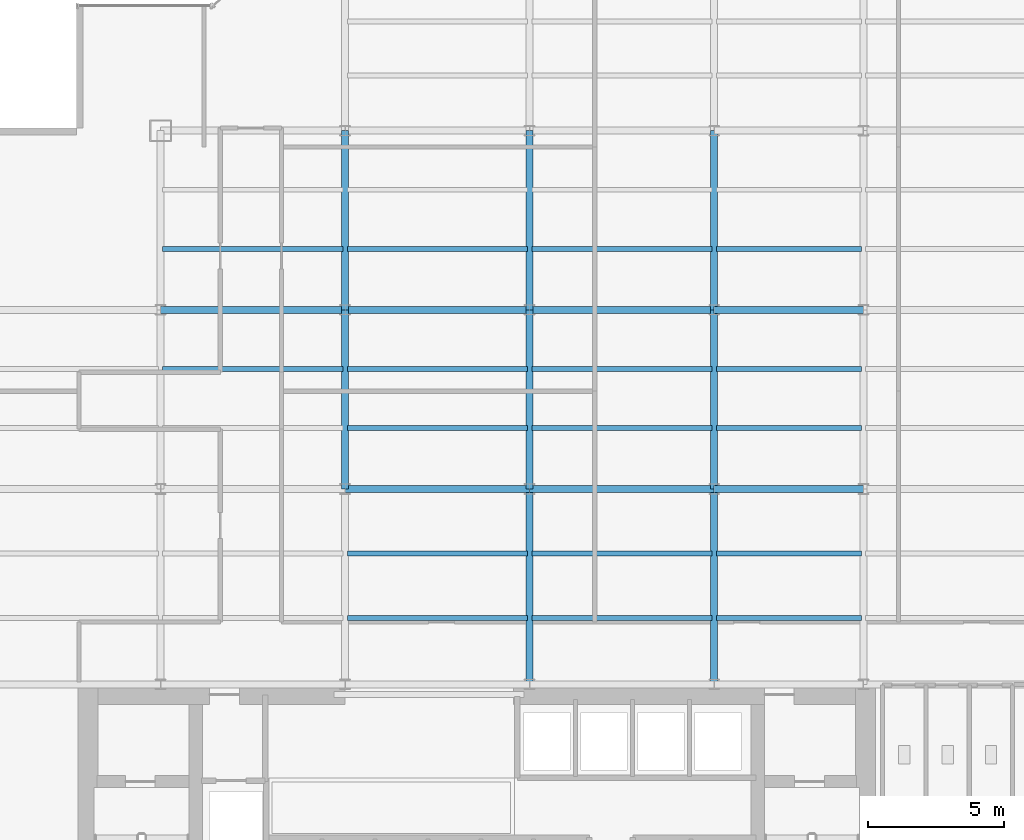
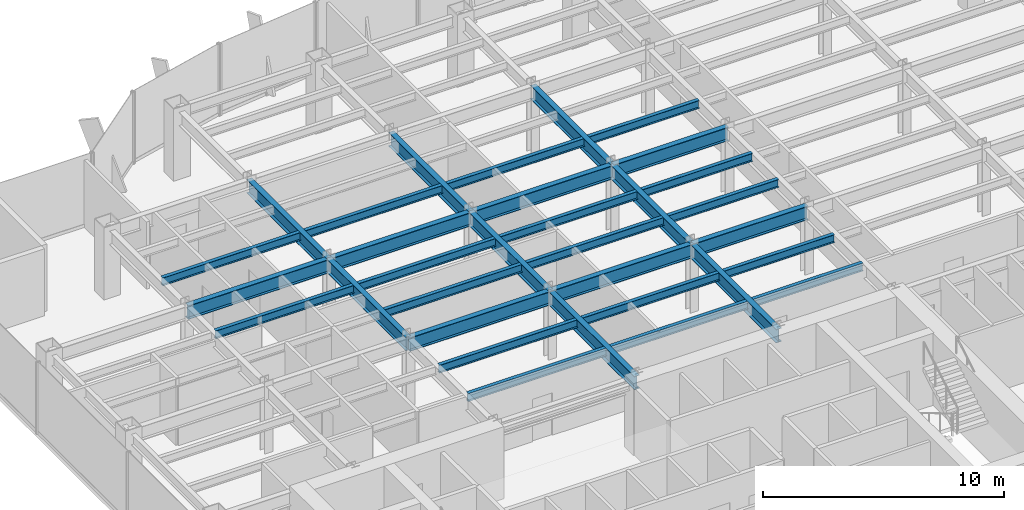
# One storey, part 7 of 26: 32 beams.
"""IFC4 building model written with IfcOpenShell, lengths in metres."""

import ifcopenshell
import ifcopenshell.guid

model = None  # the IFC model being written
_history = None  # IfcOwnerHistory: only IFC2X3 demands one
_inside = {}  # id of a spatial element -> (the spatial element, [elements in it])
_under = {}  # id of a project, library or spatial element -> (it, [spatial elements below it])
_declared = {}  # id of a project -> (the project, [libraries it declares])
_typed = {}  # id of a type object -> (the type object, [elements of that type])
_made_of = {}  # id of a material, layer set ... -> (it, [elements and type objects made of it])


def new_model(schema):
    """Start an empty IFC model of exactly this schema.

    Asked for "IFC4X3", IfcOpenShell would pick the latest addendum, in which some entities
    have other attributes; the version numbers below select the first issue.
    IFC2X3 requires an IfcOwnerHistory on every rooted entity: one is made here for all.
    """
    global model, _history
    if schema == "IFC4X3":
        model = ifcopenshell.file(schema_version=(4, 3, 0, 0))
    else:
        model = ifcopenshell.file(schema=schema)
    _inside.clear()
    _under.clear()
    _declared.clear()
    _typed.clear()
    _made_of.clear()
    _history = None
    if model.schema == "IFC2X3":
        org = make("IfcOrganization", Name="unknown")
        user = make(
            "IfcPersonAndOrganization",
            ThePerson=make("IfcPerson", FamilyName="unknown"),
            TheOrganization=org,
        )
        app = make(
            "IfcApplication",
            ApplicationDeveloper=org,
            Version="unknown",
            ApplicationFullName="unknown",
            ApplicationIdentifier="unknown",
        )
        _history = make(
            "IfcOwnerHistory",
            OwningUser=user,
            OwningApplication=app,
            ChangeAction="ADDED",
            CreationDate=0,
        )
    return model


def make(cls, **values):
    """One entity of the class cls with the attributes given. An attribute that is None is left unset."""
    return model.create_entity(
        cls, **{name: value for name, value in values.items() if value is not None}
    )


def rooted(cls, **values):
    """An entity with a GlobalId (a new one), such as an element, a storey or a relation."""
    return make(cls, GlobalId=ifcopenshell.guid.new(), OwnerHistory=_history, **values)


def si_unit(unit_type, name, prefix=None):
    """IfcSIUnit, for example si_unit("LENGTHUNIT", "METRE", prefix="MILLI")."""
    return make("IfcSIUnit", UnitType=unit_type, Prefix=prefix, Name=name)


def derived_unit(unit_type, elements):
    """IfcDerivedUnit: a product of units, each with its exponent."""
    return make(
        "IfcDerivedUnit",
        Elements=[
            make("IfcDerivedUnitElement", Unit=unit, Exponent=power)
            for unit, power in elements
        ],
        UnitType=unit_type,
    )


def assignment(units):
    """IfcUnitAssignment: the units of a project."""
    return None if units is None else make("IfcUnitAssignment", Units=units)


def point(xyz):
    """IfcCartesianPoint."""
    return None if xyz is None else make("IfcCartesianPoint", Coordinates=xyz)


def direction(xyz):
    """IfcDirection."""
    return None if xyz is None else make("IfcDirection", DirectionRatios=xyz)


def frame(location, z_axis=None, x_axis=None):
    """IfcAxis2Placement3D, a coordinate frame: its origin and axes. An axis left out is left unset."""
    return make(
        "IfcAxis2Placement3D",
        Location=point(location),
        Axis=direction(z_axis),
        RefDirection=direction(x_axis),
    )


def frame_2d(location, x_axis=None):
    """IfcAxis2Placement2D, a coordinate frame in the plane: its origin and x axis."""
    return make(
        "IfcAxis2Placement2D", Location=point(location), RefDirection=direction(x_axis)
    )


def origin():
    """The frame at (0, 0, 0) with its axes left unset."""
    return frame((0.0, 0.0, 0.0))


def origin_2d():
    """The frame at (0, 0) in the plane with its x axis left unset."""
    return frame_2d((0.0, 0.0))


def place(relative_to, where):
    """IfcLocalPlacement: puts the frame where relative to a parent placement (None: the world)."""
    return make(
        "IfcLocalPlacement", PlacementRelTo=relative_to, RelativePlacement=where
    )


def context(
    kind, dimensions, precision=None, world=None, true_north=None, identifier=None
):
    """IfcGeometricRepresentationContext, for example the 3D "Model" context."""
    return make(
        "IfcGeometricRepresentationContext",
        ContextIdentifier=identifier,
        ContextType=kind,
        CoordinateSpaceDimension=dimensions,
        Precision=precision,
        WorldCoordinateSystem=world,
        TrueNorth=true_north,
    )


def subcontext(parent, identifier, kind, view, scale=None):
    """IfcGeometricRepresentationSubContext, for example "Body" below "Model"."""
    return make(
        "IfcGeometricRepresentationSubContext",
        ContextIdentifier=identifier,
        ContextType=kind,
        ParentContext=parent,
        TargetScale=scale,
        TargetView=view,
    )


def project(units=None, contexts=None):
    """IfcProject with its units and contexts."""
    return rooted(
        "IfcProject",
        Name="project",
        RepresentationContexts=contexts,
        UnitsInContext=assignment(units),
    )


def spatial(cls, under=None, at=None, **own):
    """A site, building, storey or space (cls), placed at a placement, below another one or the project."""
    s = rooted(cls, ObjectPlacement=at, **own)
    if under is not None:
        _under.setdefault(under.id(), (under, []))[1].append(s)
    return s


def profile(cls, at=None, kind="AREA", **sizes):
    """A parametric profile (cls). Its sizes go by their IFC names, for example OverallWidth=200.0."""
    return make(cls, ProfileType=kind, Position=at, **sizes)


def i_section(**sizes):
    """IfcIShapeProfileDef."""
    return profile("IfcIShapeProfileDef", **sizes)


def extrude(swept, where, along, depth):
    """IfcExtrudedAreaSolid: the profile swept, set in the frame where, extruded along a direction by depth."""
    return make(
        "IfcExtrudedAreaSolid",
        SweptArea=swept,
        Position=where,
        ExtrudedDirection=direction(along),
        Depth=depth,
    )


def shape(context_of_items, identifier, shape_type, items):
    """IfcShapeRepresentation: the items that make up one representation, for example the "Body"."""
    return make(
        "IfcShapeRepresentation",
        ContextOfItems=context_of_items,
        RepresentationIdentifier=identifier,
        RepresentationType=shape_type,
        Items=items,
    )


def source(mapping_origin, context_of_items, identifier, shape_type, items):
    """IfcRepresentationMap: a shape defined once, which mapped items show again and again."""
    return make(
        "IfcRepresentationMap",
        MappingOrigin=mapping_origin,
        MappedRepresentation=shape(context_of_items, identifier, shape_type, items),
    )


def transform(
    local_origin,
    x_axis=None,
    y_axis=None,
    z_axis=None,
    scale=None,
    scale2=None,
    scale3=None,
    uniform=True,
):
    """IfcCartesianTransformationOperator3D, or its non-uniform kind. x_axis, y_axis, z_axis: its Axis1, 2, 3."""
    if uniform:
        return make(
            "IfcCartesianTransformationOperator3D",
            Axis1=direction(x_axis),
            Axis2=direction(y_axis),
            LocalOrigin=point(local_origin),
            Scale=scale,
            Axis3=direction(z_axis),
        )
    return make(
        "IfcCartesianTransformationOperator3DnonUniform",
        Axis1=direction(x_axis),
        Axis2=direction(y_axis),
        LocalOrigin=point(local_origin),
        Scale=scale,
        Axis3=direction(z_axis),
        Scale2=scale2,
        Scale3=scale3,
    )


def mapped(mapping_source, mapping_target):
    """IfcMappedItem: shows the shape of a source again, moved by a transform."""
    return make(
        "IfcMappedItem", MappingSource=mapping_source, MappingTarget=mapping_target
    )


def material(Name=None, Category=None):
    """IfcMaterial."""
    return make("IfcMaterial", Name=Name, Category=Category)


def material_profile(
    of_material, cross_section, Name=None, Category=None, Priority=None
):
    """IfcMaterialProfile: a cross section and its material."""
    return make(
        "IfcMaterialProfile",
        Name=Name,
        Material=of_material,
        Profile=cross_section,
        Priority=Priority,
        Category=Category,
    )


def profile_set(profiles, Name=None, composite=None):
    """IfcMaterialProfileSet."""
    return make(
        "IfcMaterialProfileSet",
        Name=Name,
        MaterialProfiles=profiles,
        CompositeProfile=composite,
    )


def made_of(thing, what):
    """Note that an element or type object is made of a material, layer set ...; save() writes the relation."""
    if what is not None:
        _made_of.setdefault(what.id(), (what, []))[1].append(thing)
    return thing


def type_object(cls, material=None, **own):
    """A type object (cls), such as IfcWallType, which elements share."""
    return made_of(rooted(cls, **own), material)


def element(
    cls,
    number,
    at=None,
    inside=None,
    cuts=None,
    type_object=None,
    material=None,
    context=None,
    identifier="Body",
    shape_type=None,
    held_by="IfcProductDefinitionShape",
    body=None,
    shapes=None,
    **own,
):
    """One element of the class cls, such as IfcWall. Its Tag is "e" and its number.

    at: its placement. inside: the storey or other place that contains it. cuts: it is an
    opening in that element (IfcRelVoidsElement). A single representation is given by context,
    identifier, shape_type and body (its items); several are given by shapes. held_by: the class
    of the entity that holds the representations. save() writes the other relations.
    """
    e = rooted(cls, Tag="e%d" % number, ObjectPlacement=at, **own)
    if body is not None:
        shapes = [shape(context, identifier, shape_type, body)]
    if shapes is not None:
        e.Representation = make(held_by, Representations=shapes)
    if inside is not None:
        _inside.setdefault(inside.id(), (inside, []))[1].append(e)
    if cuts is not None:
        rooted(
            "IfcRelVoidsElement", RelatingBuildingElement=cuts, RelatedOpeningElement=e
        )
    if type_object is not None:
        _typed.setdefault(type_object.id(), (type_object, []))[1].append(e)
    return made_of(e, material)


def aggregate(whole, parts):
    """IfcRelAggregates: a whole, such as a stair, and the parts it consists of."""
    return rooted("IfcRelAggregates", RelatingObject=whole, RelatedObjects=parts)


def save(model, path):
    """Write the relations noted so far, then the file.

    IfcRelAggregates (storeys below a building ...), IfcRelContainedInSpatialStructure (elements
    in a storey), IfcRelDefinesByType, IfcRelAssociatesMaterial and IfcRelDeclares: one each for
    every whole, place, type object, material and project.
    """
    for whole, parts in _under.values():
        aggregate(whole, parts)
    for where, things in _inside.values():
        rooted(
            "IfcRelContainedInSpatialStructure",
            RelatedElements=things,
            RelatingStructure=where,
        )
    for kind, things in _typed.values():
        rooted("IfcRelDefinesByType", RelatedObjects=things, RelatingType=kind)
    for what, things in _made_of.values():
        rooted("IfcRelAssociatesMaterial", RelatedObjects=things, RelatingMaterial=what)
    for by, libraries in _declared.values():
        rooted("IfcRelDeclares", RelatingContext=by, RelatedDefinitions=libraries)
    model.write(path)


model = new_model("IFC4")

# Units and contexts
model_context = context("Model", 3, precision=1e-05, world=origin(), true_north=direction((0.0, 1.0)))
body_context = subcontext(model_context, "Body", "Model", "MODEL_VIEW")
ifc_project = project(units=[si_unit("LENGTHUNIT", "METRE"), si_unit("AREAUNIT", "SQUARE_METRE"), si_unit("VOLUMEUNIT", "CUBIC_METRE"), si_unit("PLANEANGLEUNIT", "RADIAN"), si_unit("MASSUNIT", "GRAM", prefix="KILO"), derived_unit("THERMALTRANSMITTANCEUNIT", [(si_unit("POWERUNIT", "WATT"), 1), (si_unit("LENGTHUNIT", "METRE"), -2), (si_unit("THERMODYNAMICTEMPERATUREUNIT", "KELVIN"), -1)])], contexts=[model_context])

# Site, building, storey
site_placement = place(None, origin())
site = spatial("IfcSite", under=ifc_project, at=site_placement, CompositionType="ELEMENT")
building_placement = place(site_placement, origin())
building = spatial("IfcBuilding", under=site, at=building_placement, Name="Skarnbrae Concourse Arena and Tower", CompositionType="ELEMENT")
storey_placement = place(building_placement, frame((0.0, 0.0, 125.14990234375)))
storey = spatial("IfcBuildingStorey", under=building, at=storey_placement, Name="L31", CompositionType="ELEMENT", Elevation=125.14990234375)

# Beams
ifc_material = material(Name="Steel CSA G40.21 350W", Category="steel")
ifc_material_profile_1 = material_profile(ifc_material, i_section(OverallWidth=0.256103515625, OverallDepth=0.693115234375, WebThickness=0.014404296875, FlangeThickness=0.023681640625, at=origin_2d()), Name="W690X170")
ifc_profile_set_1 = profile_set([ifc_material_profile_1], Name="Steel CSA G40.21 350W")
beam_type_1 = type_object("IfcBeamType", Name="BM-GIRD-W690X170", PredefinedType="BEAM", material=ifc_profile_set_1)
shared_shape_1 = source(origin(), body_context, "Body", "SweptSolid", [
    extrude(i_section(OverallWidth=0.256103515625, OverallDepth=0.693115234375, WebThickness=0.014404296875, FlangeThickness=0.023681640625, at=origin_2d()), origin(), (0.0, 0.0, 1.0), 6.60009765625),
])
for number, where, z_axis, x_axis, name in (
    (1, (14.39990234375, 21.199951171875, 3.0537109375), (0.0, 1.0, 0.0), (-1.0, 0.0, 0.0), "L31 Primary N-S girder X14.4-2"),
    (2, (21.199951171875, 21.199951171875, 3.0537109375), (0.0, 1.0, 0.0), (-1.0, 0.0, 0.0), "L31 Primary N-S girder X21.2-2"),
    (3, (28.0, 21.199951171875, 3.0537109375), (0.0, 1.0, 0.0), (-1.0, 0.0, 0.0), "L31 Primary N-S girder X28.0-2"),
):
    element("IfcBeam", number, at=place(storey_placement, frame(where, z_axis=z_axis, x_axis=x_axis)), inside=storey, type_object=beam_type_1, Name=name, PredefinedType="BEAM", context=body_context, shape_type="MappedRepresentation", body=[
        mapped(shared_shape_1, transform((0.0, 0.0, 0.0))),
    ])
shared_shape_2 = source(origin(), body_context, "Body", "SweptSolid", [
    extrude(i_section(OverallWidth=0.256103515625, OverallDepth=0.693115234375, WebThickness=0.014404296875, FlangeThickness=0.023681640625, at=origin_2d()), origin(), (0.0, 0.0, 1.0), 6.7998046875),
])
beam_placement = place(storey_placement, frame((7.60009765625, 27.800048828125, 3.0537109375), z_axis=(1.0, 0.0, 0.0), x_axis=(0.0, 1.0, 0.0)))
element("IfcBeam", 4, at=beam_placement, inside=storey, type_object=beam_type_1, Name="L31 Primary E-W girder Y27.8-2", PredefinedType="BEAM", context=body_context, shape_type="MappedRepresentation", body=[
    mapped(shared_shape_2, transform((0.0, 0.0, 0.0))),
])
shared_shape_3 = source(origin(), body_context, "Body", "SweptSolid", [
    extrude(i_section(OverallWidth=0.256103515625, OverallDepth=0.693115234375, WebThickness=0.014404296875, FlangeThickness=0.023681640625, at=origin_2d()), origin(), (0.0, 0.0, 1.0), 6.800048828125),
])
for number, where, z_axis, x_axis, name in (
    (5, (14.39990234375, 21.199951171875, 3.0537109375), (1.0, 0.0, 0.0), (0.0, 1.0, 0.0), "L31 Primary E-W girder Y21.2-3"),
    (6, (21.199951171875, 21.199951171875, 3.0537109375), (1.0, 0.0, 0.0), (0.0, 1.0, 0.0), "L31 Primary E-W girder Y21.2-4"),
    (7, (14.39990234375, 27.800048828125, 3.0537109375), (1.0, 0.0, 0.0), (0.0, 1.0, 0.0), "L31 Primary E-W girder Y27.8-3"),
    (8, (21.199951171875, 27.800048828125, 3.0537109375), (1.0, 0.0, 0.0), (0.0, 1.0, 0.0), "L31 Primary E-W girder Y27.8-4"),
):
    element("IfcBeam", number, at=place(storey_placement, frame(where, z_axis=z_axis, x_axis=x_axis)), inside=storey, type_object=beam_type_1, Name=name, PredefinedType="BEAM", context=body_context, shape_type="MappedRepresentation", body=[
        mapped(shared_shape_3, transform((0.0, 0.0, 0.0))),
    ])
shared_shape_4 = source(origin(), body_context, "Body", "SweptSolid", [
    extrude(i_section(OverallWidth=0.256103515625, OverallDepth=0.693115234375, WebThickness=0.014404296875, FlangeThickness=0.023681640625, at=origin_2d()), origin(), (0.0, 0.0, 1.0), 5.5),
])
for number, where, z_axis, x_axis, name in (
    (9, (28.0, 21.199951171875, 3.0537109375), (1.0, 0.0, 0.0), (0.0, 1.0, 0.0), "L31 Primary E-W girder Y21.2-5"),
    (10, (28.0, 27.800048828125, 3.0537109375), (1.0, 0.0, 0.0), (0.0, 1.0, 0.0), "L31 Primary E-W girder Y27.8-5"),
):
    element("IfcBeam", number, at=place(storey_placement, frame(where, z_axis=z_axis, x_axis=x_axis)), inside=storey, type_object=beam_type_1, Name=name, PredefinedType="BEAM", context=body_context, shape_type="MappedRepresentation", body=[
        mapped(shared_shape_4, transform((0.0, 0.0, 0.0))),
    ])
shared_shape_5 = source(origin(), body_context, "Body", "SweptSolid", [
    extrude(i_section(OverallWidth=0.256103515625, OverallDepth=0.693115234375, WebThickness=0.014404296875, FlangeThickness=0.023681640625, at=origin_2d()), origin(), (0.0, 0.0, 1.0), 7.199951171875),
])
for number, where, z_axis, x_axis, name in (
    (11, (21.199951171875, 14.0, 3.0537109375), (0.0, 1.0, 0.0), (-1.0, 0.0, 0.0), "L31 Primary N-S girder X21.2-1"),
    (12, (28.0, 14.0, 3.0537109375), (0.0, 1.0, 0.0), (-1.0, 0.0, 0.0), "L31 Primary N-S girder X28.0-1"),
):
    element("IfcBeam", number, at=place(storey_placement, frame(where, z_axis=z_axis, x_axis=x_axis)), inside=storey, type_object=beam_type_1, Name=name, PredefinedType="BEAM", context=body_context, shape_type="MappedRepresentation", body=[
        mapped(shared_shape_5, transform((0.0, 0.0, 0.0))),
    ])
shared_shape_6 = source(origin(), body_context, "Body", "SweptSolid", [
    extrude(i_section(OverallWidth=0.256103515625, OverallDepth=0.693115234375, WebThickness=0.014404296875, FlangeThickness=0.023681640625, at=origin_2d()), origin(), (0.0, 0.0, 1.0), 6.599853515625),
])
for number, where, z_axis, x_axis, name in (
    (13, (14.39990234375, 27.800048828125, 3.0537109375), (0.0, 1.0, 0.0), (-1.0, 0.0, 0.0), "L31 Primary N-S girder X14.4-3"),
    (14, (21.199951171875, 27.800048828125, 3.0537109375), (0.0, 1.0, 0.0), (-1.0, 0.0, 0.0), "L31 Primary N-S girder X21.2-3"),
    (15, (28.0, 27.800048828125, 3.0537109375), (0.0, 1.0, 0.0), (-1.0, 0.0, 0.0), "L31 Primary N-S girder X28.0-3"),
):
    element("IfcBeam", number, at=place(storey_placement, frame(where, z_axis=z_axis, x_axis=x_axis)), inside=storey, type_object=beam_type_1, Name=name, PredefinedType="BEAM", context=body_context, shape_type="MappedRepresentation", body=[
        mapped(shared_shape_6, transform((0.0, 0.0, 0.0))),
    ])
ifc_material_profile_2 = material_profile(ifc_material, i_section(OverallWidth=0.177978515625, OverallDepth=0.406982421875, WebThickness=0.0078125, FlangeThickness=0.0126953125, at=origin_2d()), Name="W410X60")
ifc_profile_set_2 = profile_set([ifc_material_profile_2], Name="Steel CSA G40.21 350W")
beam_type_2 = type_object("IfcBeamType", Name="BM-JOIST-W410X60", PredefinedType="JOIST", material=ifc_profile_set_2)
shared_shape_7 = source(origin(), body_context, "Body", "SweptSolid", [
    extrude(i_section(OverallWidth=0.177978515625, OverallDepth=0.406982421875, WebThickness=0.0078125, FlangeThickness=0.0126953125, at=origin_2d()), origin(), (0.0, 0.0, 1.0), 6.64013671875),
])
for number, where, z_axis, x_axis, name in (
    (16, (14.47998046875, 16.447998046875, 3.196533203125), (1.0, 0.0, 0.0), (0.0, 1.0, 0.0), "L31 Secondary floor joist 1.1.3"),
    (17, (14.47998046875, 18.823974609375, 3.196533203125), (1.0, 0.0, 0.0), (0.0, 1.0, 0.0), "L31 Secondary floor joist 1.2.3"),
    (18, (14.47998046875, 23.444091796875, 3.196533203125), (1.0, 0.0, 0.0), (0.0, 1.0, 0.0), "L31 Secondary floor joist 2.1.3"),
    (19, (7.679931640625, 25.6220703125, 3.196533203125), (1.0, 0.0, 0.0), (0.0, 1.0, 0.0), "L31 Secondary floor joist 2.2.2"),
    (20, (14.47998046875, 25.6220703125, 3.196533203125), (1.0, 0.0, 0.0), (0.0, 1.0, 0.0), "L31 Secondary floor joist 2.2.3"),
    (21, (7.679931640625, 30.0439453125, 3.196533203125), (1.0, 0.0, 0.0), (0.0, 1.0, 0.0), "L31 Secondary floor joist 3.1.1"),
    (22, (14.47998046875, 30.0439453125, 3.196533203125), (1.0, 0.0, 0.0), (0.0, 1.0, 0.0), "L31 Secondary floor joist 3.1.2"),
):
    element("IfcBeam", number, at=place(storey_placement, frame(where, z_axis=z_axis, x_axis=x_axis)), inside=storey, type_object=beam_type_2, Name=name, PredefinedType="JOIST", context=body_context, shape_type="MappedRepresentation", body=[
        mapped(shared_shape_7, transform((0.0, 0.0, 0.0))),
    ])
shared_shape_8 = source(origin(), body_context, "Body", "SweptSolid", [
    extrude(i_section(OverallWidth=0.177978515625, OverallDepth=0.406982421875, WebThickness=0.0078125, FlangeThickness=0.0126953125, at=origin_2d()), origin(), (0.0, 0.0, 1.0), 6.639892578125),
])
for number, where, z_axis, x_axis, name in (
    (23, (21.280029296875, 16.447998046875, 3.196533203125), (1.0, 0.0, 0.0), (0.0, 1.0, 0.0), "L31 Secondary floor joist 1.1.4"),
    (24, (21.280029296875, 18.823974609375, 3.196533203125), (1.0, 0.0, 0.0), (0.0, 1.0, 0.0), "L31 Secondary floor joist 1.2.4"),
    (25, (21.280029296875, 23.444091796875, 3.196533203125), (1.0, 0.0, 0.0), (0.0, 1.0, 0.0), "L31 Secondary floor joist 2.1.4"),
    (26, (21.280029296875, 25.6220703125, 3.196533203125), (1.0, 0.0, 0.0), (0.0, 1.0, 0.0), "L31 Secondary floor joist 2.2.4"),
    (27, (21.280029296875, 30.0439453125, 3.196533203125), (1.0, 0.0, 0.0), (0.0, 1.0, 0.0), "L31 Secondary floor joist 3.1.3"),
):
    element("IfcBeam", number, at=place(storey_placement, frame(where, z_axis=z_axis, x_axis=x_axis)), inside=storey, type_object=beam_type_2, Name=name, PredefinedType="JOIST", context=body_context, shape_type="MappedRepresentation", body=[
        mapped(shared_shape_8, transform((0.0, 0.0, 0.0))),
    ])
shared_shape_9 = source(origin(), body_context, "Body", "SweptSolid", [
    extrude(i_section(OverallWidth=0.177978515625, OverallDepth=0.406982421875, WebThickness=0.0078125, FlangeThickness=0.0126953125, at=origin_2d()), origin(), (0.0, 0.0, 1.0), 5.33984375),
])
for number, where, z_axis, x_axis, name in (
    (28, (28.080078125, 16.447998046875, 3.196533203125), (1.0, 0.0, 0.0), (0.0, 1.0, 0.0), "L31 Secondary floor joist 1.1.5"),
    (29, (28.080078125, 18.823974609375, 3.196533203125), (1.0, 0.0, 0.0), (0.0, 1.0, 0.0), "L31 Secondary floor joist 1.2.5"),
    (30, (28.080078125, 23.444091796875, 3.196533203125), (1.0, 0.0, 0.0), (0.0, 1.0, 0.0), "L31 Secondary floor joist 2.1.5"),
    (31, (28.080078125, 25.6220703125, 3.196533203125), (1.0, 0.0, 0.0), (0.0, 1.0, 0.0), "L31 Secondary floor joist 2.2.5"),
    (32, (28.080078125, 30.0439453125, 3.196533203125), (1.0, 0.0, 0.0), (0.0, 1.0, 0.0), "L31 Secondary floor joist 3.1.4"),
):
    element("IfcBeam", number, at=place(storey_placement, frame(where, z_axis=z_axis, x_axis=x_axis)), inside=storey, type_object=beam_type_2, Name=name, PredefinedType="JOIST", context=body_context, shape_type="MappedRepresentation", body=[
        mapped(shared_shape_9, transform((0.0, 0.0, 0.0))),
    ])

save(model, "model.ifc")
